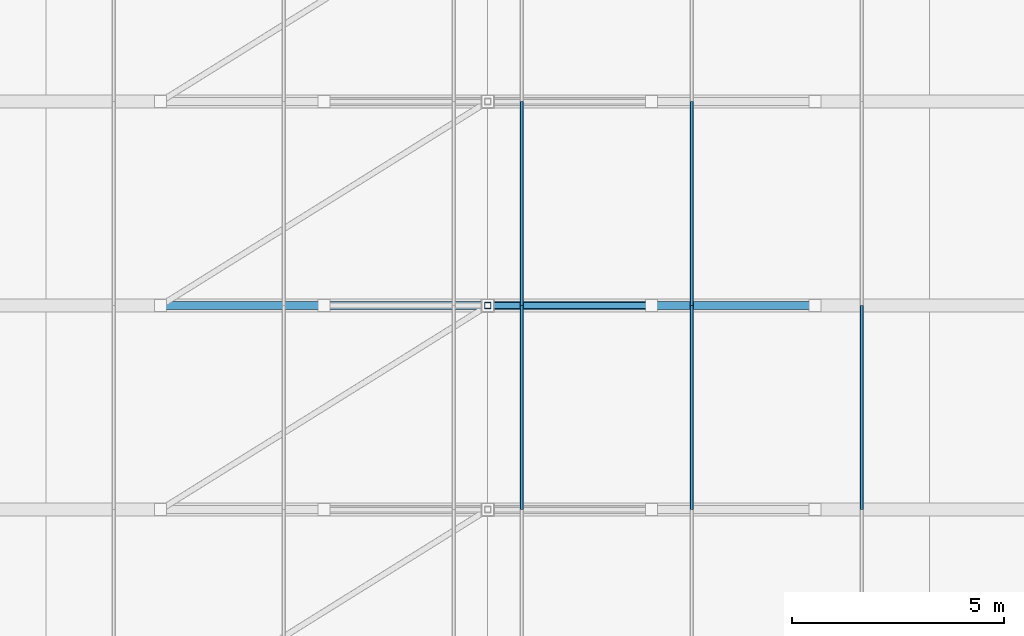
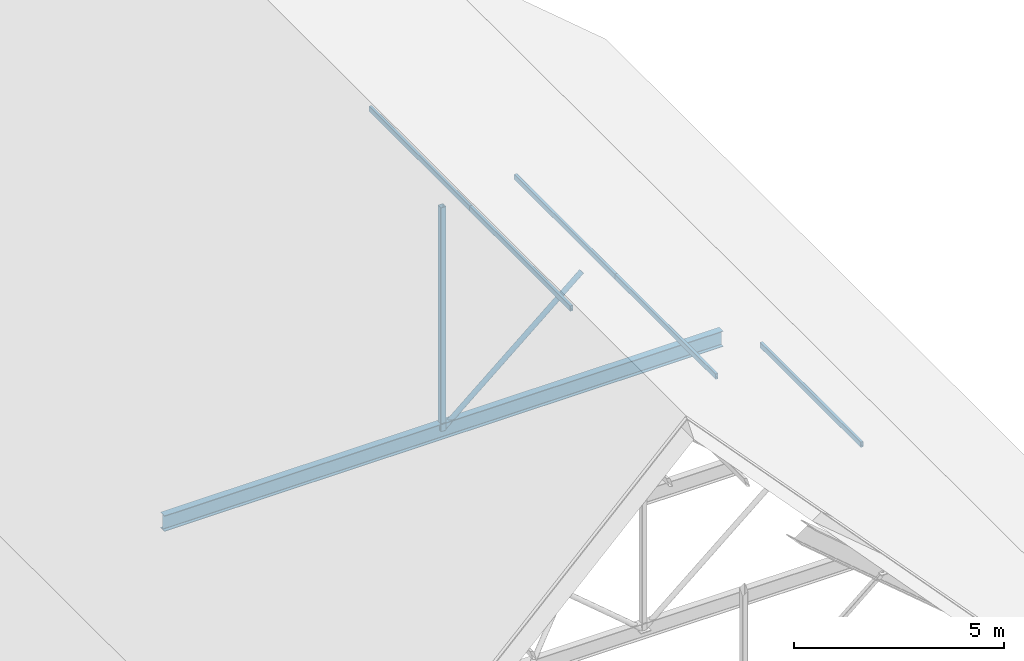
# One storey, part 29 of 60: 7 members, 1 beam.
"""IFC4 building model written with IfcOpenShell, lengths in metres."""

from ifc_helpers import new_model, si_unit, direction, frame, origin, origin_2d, place, context, subcontext, project, spatial, hollow_rectangle, hollow_circle, i_section, extrude, material, material_profile, profile_set, type_object, element, save


model = new_model("IFC4")

# Units and contexts
model_context = context("Model", 3, precision=1e-05, world=origin(), true_north=direction((0.0, 1.0)))
body_context = subcontext(model_context, "Body", "Model", "MODEL_VIEW")
ifc_project = project(units=[si_unit("LENGTHUNIT", "METRE"), si_unit("AREAUNIT", "SQUARE_METRE"), si_unit("VOLUMEUNIT", "CUBIC_METRE"), si_unit("PLANEANGLEUNIT", "RADIAN"), si_unit("MASSUNIT", "GRAM", prefix="KILO")], contexts=[model_context])

# Site, building, storey
site_placement = place(None, origin())
site = spatial("IfcSite", under=ifc_project, at=site_placement, CompositionType="ELEMENT")
building_placement = place(site_placement, origin())
building = spatial("IfcBuilding", under=site, at=building_placement, Name="Nakhvara Creek Congress Hotel", CompositionType="ELEMENT")
storey_placement = place(building_placement, frame((0.0, 0.0, 54.60009765625)))
storey = spatial("IfcBuildingStorey", under=building, at=storey_placement, Name="RL1", CompositionType="ELEMENT", Elevation=54.60009765625)

# Beam
ifc_material_1 = material(Name="Steel S355J2", Category="steel")
ifc_material_profile_1 = material_profile(ifc_material_1, i_section(OverallWidth=0.1904296875, OverallDepth=0.45703125, WebThickness=0.009033203125, FlangeThickness=0.014404296875, FilletRadius=0.01025390625, at=origin_2d()), Name="UB 457x191x74", Category="LoadBearing")
ifc_profile_set_1 = profile_set([ifc_material_profile_1], Name="Steel S355J2")
beam_type = type_object("IfcBeamType", Name="BM-ST-UB457", PredefinedType="BEAM", material=ifc_profile_set_1)
beam_placement = place(storey_placement, frame((156.70166015625, 106.800048828125, 1.599853515625), z_axis=(1.0, 0.0, 0.0), x_axis=(0.0, 1.0, 0.0)))
element("IfcBeam", 1, at=beam_placement, inside=storey, type_object=beam_type, Name="Hotel Gothic Gable Collar Tie 08", PredefinedType="BEAM", context=body_context, shape_type="SweptSolid", body=[
    extrude(i_section(OverallWidth=0.1904296875, OverallDepth=0.45703125, WebThickness=0.009033203125, FlangeThickness=0.014404296875, FilletRadius=0.01025390625, at=origin_2d()), origin(), (0.0, 0.0, 1.0), 15.396728515625),
])

# Members
ifc_material_2 = material(Name="Steel S355J2H", Category="steel")
ifc_material_profile_2 = material_profile(ifc_material_2, hollow_circle(Radius=0.06982421875, WallThickness=0.008056640625, at=origin_2d()), Name="CHS 139.7x8.0", Category="LoadBearing")
ifc_profile_set_2 = profile_set([ifc_material_profile_2], Name="Steel S355J2H")
member_type_1 = type_object("IfcMemberType", Name="MEM-BRC-CHS139H", PredefinedType="BRACE", material=ifc_profile_set_2)
member_1_placement = place(storey_placement, frame((164.39990234375, 106.800048828125, 1.599853515625), z_axis=(0.763373429147, 0.0, 0.645957434876), x_axis=(0.0, 1.0, 0.0)))
element("IfcMember", 2, at=member_1_placement, inside=storey, type_object=member_type_1, Name="Hotel Gable Web Brace E-08", PredefinedType="BRACE", context=body_context, shape_type="SweptSolid", body=[
    extrude(hollow_circle(Radius=0.06982421875, WallThickness=0.008056640625, at=origin_2d()), origin(), (0.0, 0.0, 1.0), 5.042236328125),
])
ifc_material_profile_3 = material_profile(ifc_material_2, hollow_rectangle(XDim=0.080078125, YDim=0.159912109375, WallThickness=0.00634765625, InnerFilletRadius=0.00634765625, OuterFilletRadius=0.0126953125, at=origin_2d()), Name="RHS 160x80x6.3", Category="LoadBearing")
ifc_profile_set_3 = profile_set([ifc_material_profile_3], Name="Steel S355J2H")
member_type_2 = type_object("IfcMemberType", Name="MEM-PUR-RHS160", PredefinedType="PURLIN", material=ifc_profile_set_3)
for number, where, z_axis, x_axis, name in (
    (3, (165.199951171875, 102.0, 7.7568359375), (0.0, 1.0, 0.0), (-1.0, 0.0, 0.0), "Hotel Gable Purlin PR03-5.07"),
    (4, (165.199951171875, 106.800048828125, 7.7568359375), (0.0, 1.0, 0.0), (-1.0, 0.0, 0.0), "Hotel Gable Purlin PR03-5.08"),
    (5, (169.199951171875, 102.0, 4.372314453125), (0.0, 1.0, 0.0), (-1.0, 0.0, 0.0), "Hotel Gable Purlin PR03-6.07"),
    (6, (169.199951171875, 106.800048828125, 4.372314453125), (0.0, 1.0, 0.0), (-1.0, 0.0, 0.0), "Hotel Gable Purlin PR03-6.08"),
    (7, (173.199951171875, 102.0, 0.98779296875), (0.0, 1.0, 0.0), (-1.0, 0.0, 0.0), "Hotel Gable Purlin PR03-7.07"),
):
    element("IfcMember", number, at=place(storey_placement, frame(where, z_axis=z_axis, x_axis=x_axis)), inside=storey, type_object=member_type_2, Name=name, PredefinedType="PURLIN", context=body_context, shape_type="SweptSolid", body=[
        extrude(hollow_rectangle(XDim=0.080078125, YDim=0.159912109375, WallThickness=0.00634765625, InnerFilletRadius=0.00634765625, OuterFilletRadius=0.0126953125, at=origin_2d()), origin(), (0.0, 0.0, 1.0), 4.800048828125),
    ])
ifc_material_profile_4 = material_profile(ifc_material_2, hollow_rectangle(XDim=0.14990234375, YDim=0.14990234375, WallThickness=0.008056640625, InnerFilletRadius=0.008056640625, OuterFilletRadius=0.01611328125, at=origin_2d()), Name="SHS 150x150x8.0", Category="LoadBearing")
ifc_profile_set_4 = profile_set([ifc_material_profile_4], Name="Steel S355J2H")
member_type_3 = type_object("IfcMemberType", Name="MEM-STR-SHS150", PredefinedType="STRUT", material=ifc_profile_set_4)
member_2_placement = place(storey_placement, frame((164.39990234375, 106.800048828125, 1.599853515625), z_axis=(0.0, 0.0, 1.0), x_axis=(1.0, 0.0, 0.0)))
element("IfcMember", 8, at=member_2_placement, inside=storey, type_object=member_type_3, Name="Hotel Gable King-Post Strut 08", PredefinedType="STRUT", context=body_context, shape_type="SweptSolid", body=[
    extrude(hollow_rectangle(XDim=0.14990234375, YDim=0.14990234375, WallThickness=0.008056640625, InnerFilletRadius=0.008056640625, OuterFilletRadius=0.01611328125, at=origin_2d()), origin(), (0.0, 0.0, 1.0), 6.513916015625),
])

save(model, "model.ifc")
